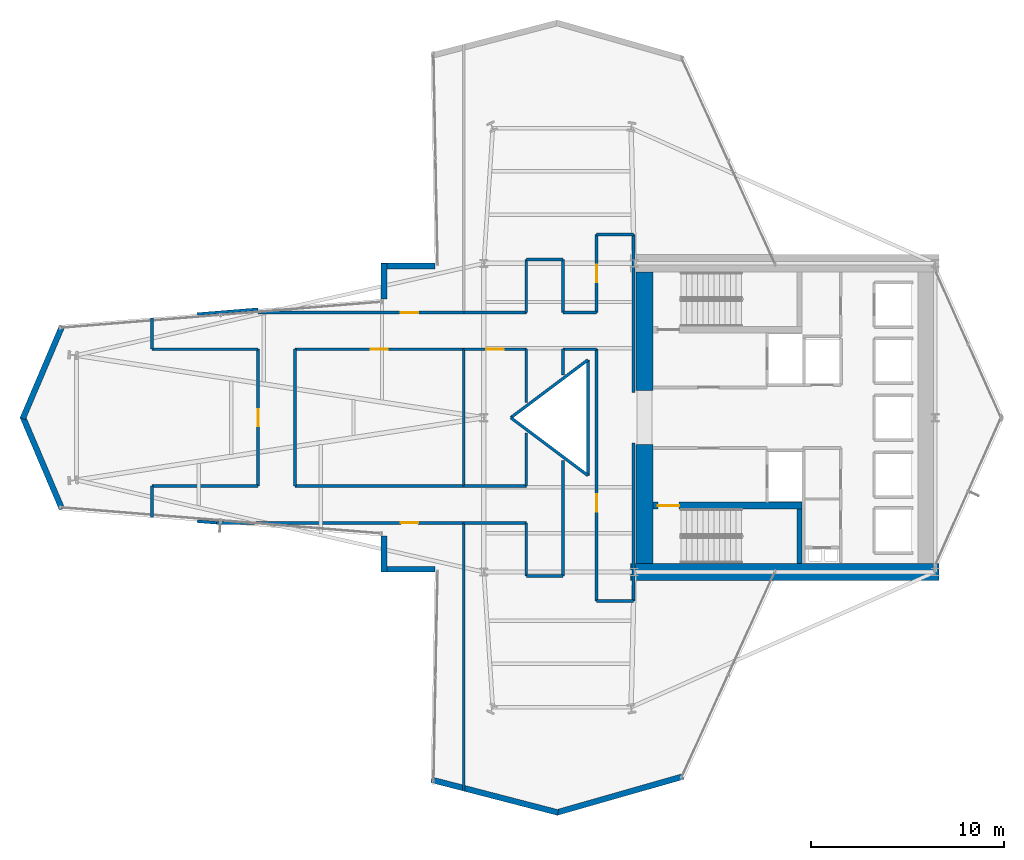
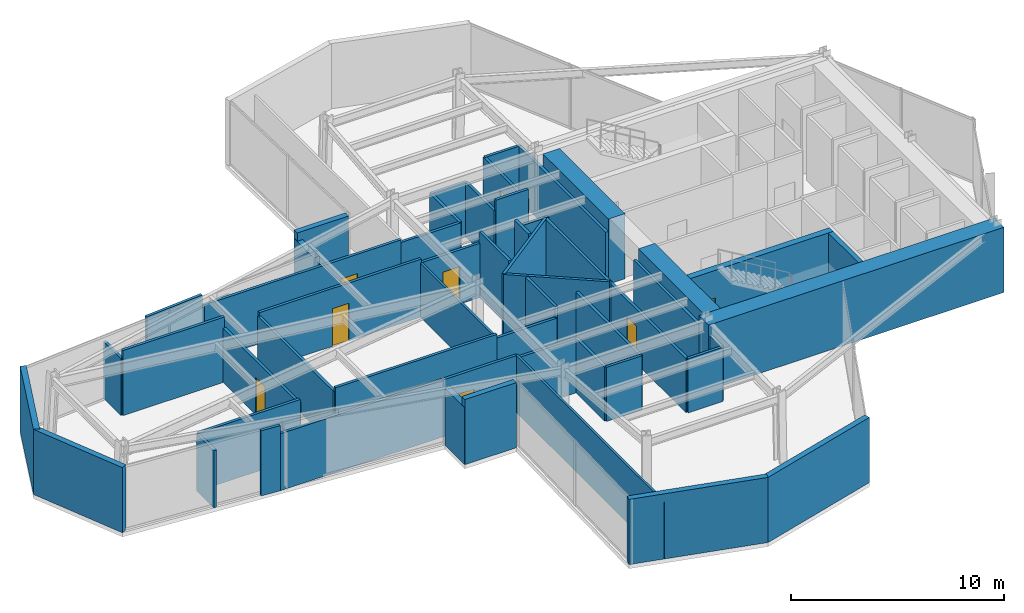
# One storey, part 22 of 25: 51 walls, 8 doors, 8 openings.
"""IFC4 building model written with IfcOpenShell, lengths in metres."""

from ifc_helpers import new_model, si_unit, direction, frame, frame_2d, origin, place, context, subcontext, project, spatial, rectangle, extrude, material, layer, layer_set, type_object, element, fill, save


model = new_model("IFC4")

# Units and contexts
model_context = context("Model", 3, precision=1e-05, world=origin(), true_north=direction((0.0, 1.0)))
body_context = subcontext(model_context, "Body", "Model", "MODEL_VIEW")
ifc_project = project(units=[si_unit("LENGTHUNIT", "METRE"), si_unit("AREAUNIT", "SQUARE_METRE"), si_unit("VOLUMEUNIT", "CUBIC_METRE"), si_unit("PLANEANGLEUNIT", "RADIAN"), si_unit("MASSUNIT", "GRAM", prefix="KILO")], contexts=[model_context])

# Site, building, storey
site_placement = place(None, origin())
site = spatial("IfcSite", under=ifc_project, at=site_placement, CompositionType="ELEMENT")
building_placement = place(site_placement, origin())
building = spatial("IfcBuilding", under=site, at=building_placement, Name="Veymaron Broadcast Tower", CompositionType="ELEMENT")
storey_placement = place(building_placement, frame((0.0, 0.0, 102.60009765625)))
storey = spatial("IfcBuildingStorey", under=building, at=storey_placement, Name="L23", CompositionType="ELEMENT", Elevation=102.60009765625)

# Walls
ifc_material_1 = material(Name="Precast concrete C40/50 with mineral-wool insulation", Category="concrete")
ifc_layer_1 = layer(ifc_material_1, 0.300048828125)
ifc_layer_set_1 = layer_set([ifc_layer_1], Name="Precast concrete C40/50 with mineral-wool insulation")
wall_type_1 = type_object("IfcWallType", Name="WALL-EXT-300", PredefinedType="STANDARD", material=ifc_layer_set_1)
wall_1_placement = place(storey_placement, frame((28.66455078125, 31.860107421875, 0.0), z_axis=(0.0, 0.0, 1.0), x_axis=(-1.0, 0.0, 0.0)))
element("IfcWall", 1, at=wall_1_placement, inside=storey, type_object=wall_type_1, Name="L23 notched corner facade pier 9-1", PredefinedType="STANDARD", context=body_context, shape_type="SweptSolid", body=[
    extrude(rectangle(XDim=2.78466796875, YDim=0.300048828125, at=frame_2d((1.392333984375, 0.0))), origin(), (0.0, 0.0, 1.0), 3.72998046875),
])
wall_2_placement = place(storey_placement, frame((26.02001953125, 32.0, 0.0), z_axis=(0.0, 0.0, 1.0), x_axis=(0.0, -1.0, 0.0)))
element("IfcWall", 2, at=wall_2_placement, inside=storey, type_object=wall_type_1, Name="L23 notched corner facade pier 10-1", PredefinedType="STANDARD", context=body_context, shape_type="SweptSolid", body=[
    extrude(rectangle(XDim=1.857421875, YDim=0.300048828125, at=frame_2d((0.9287109375, 0.0))), origin(), (0.0, 0.0, 1.0), 3.2578125),
])
for number, where, z_axis, x_axis, name in (
    (3, (9.328857421875, 28.736572265625, 0.0), (0.0, 0.0, 1.0), (-0.391751095422, -0.920071235957, 0.0), "L23 notched corner facade pier 12-1"),
    (4, (7.288818359375, 24.0546875, 0.0), (0.0, 0.0, 1.0), (0.391751095422, -0.920071235957, 0.0), "L23 notched corner facade pier 13-1"),
):
    element("IfcWall", number, at=place(storey_placement, frame(where, z_axis=z_axis, x_axis=x_axis)), inside=storey, type_object=wall_type_1, Name=name, PredefinedType="STANDARD", context=body_context, shape_type="SweptSolid", body=[
        extrude(rectangle(XDim=5.20751953125, YDim=0.300048828125, at=frame_2d((2.603759765625, 0.0))), origin(), (0.0, 0.0, 1.0), 3.72998046875),
    ])
wall_3_placement = place(storey_placement, frame((26.02001953125, 17.857421875, 0.0), z_axis=(0.0, 0.0, 1.0), x_axis=(0.0, -1.0, 0.0)))
element("IfcWall", 5, at=wall_3_placement, inside=storey, type_object=wall_type_1, Name="L23 notched corner facade pier 15-1", PredefinedType="STANDARD", context=body_context, shape_type="SweptSolid", body=[
    extrude(rectangle(XDim=1.857421875, YDim=0.300048828125, at=frame_2d((0.9287109375, 0.0))), origin(), (0.0, 0.0, 1.0), 3.2578125),
])
wall_4_placement = place(storey_placement, frame((25.8798828125, 16.139892578125, 0.0), z_axis=(0.0, 0.0, 1.0), x_axis=(1.0, 0.0, 0.0)))
element("IfcWall", 6, at=wall_4_placement, inside=storey, type_object=wall_type_1, Name="L23 notched corner facade pier 16-1", PredefinedType="STANDARD", context=body_context, shape_type="SweptSolid", body=[
    extrude(rectangle(XDim=2.78466796875, YDim=0.300048828125, at=frame_2d((1.392333984375, 0.0))), origin(), (0.0, 0.0, 1.0), 3.72998046875),
])
wall_5_placement = place(storey_placement, frame((28.48828125, 5.2255859375, 0.0), z_axis=(0.0, 0.0, 1.0), x_axis=(0.967987493138, -0.250998432521, 0.0)))
element("IfcWall", 7, at=wall_5_placement, inside=storey, type_object=wall_type_1, Name="L23 notched corner facade pier 18-1", PredefinedType="STANDARD", context=body_context, shape_type="SweptSolid", body=[
    extrude(rectangle(XDim=6.773681640625, YDim=0.300048828125, at=frame_2d((3.38671875, 0.0))), origin(), (0.0, 0.0, 1.0), 3.72998046875),
])
wall_6_placement = place(storey_placement, frame((34.9716796875, 3.524658203125, 0.0), z_axis=(0.0, 0.0, 1.0), x_axis=(0.961657606646, 0.274252889831, 0.0)))
element("IfcWall", 8, at=wall_6_placement, inside=storey, type_object=wall_type_1, Name="L23 notched corner facade pier 19-1", PredefinedType="STANDARD", context=body_context, shape_type="SweptSolid", body=[
    extrude(rectangle(XDim=6.818115234375, YDim=0.300048828125, at=frame_2d((3.4091796875, 0.0))), origin(), (0.0, 0.0, 1.0), 3.72998046875),
])

# Wall, opening, door
ifc_material_2 = material(Name="Gypsum fireboard and steel stud framing", Category="steel")
ifc_layer_2 = layer(ifc_material_2, 0.14990234375)
ifc_layer_set_2 = layer_set([ifc_layer_2], Name="Gypsum fireboard and steel stud framing")
wall_type_2 = type_object("IfcWallType", Name="WALL-FIRE-150", PredefinedType="PARTITIONING", material=ifc_layer_set_2)
wall_7_placement = place(storey_placement, frame((37.050048828125, 14.5, 0.0), z_axis=(0.0, 0.0, 1.0), x_axis=(0.0, 1.0, 0.0)))
wall_7 = element("IfcWall", 9, at=wall_7_placement, inside=storey, type_object=wall_type_2, Name="L23 partition IW-L23-P01", PredefinedType="PARTITIONING", context=body_context, shape_type="SweptSolid", body=[
    extrude(rectangle(XDim=13.050048828125, YDim=0.14990234375, at=frame_2d((6.52490234375, 0.0))), origin(), (0.0, 0.0, 1.0), 3.100830078125),
])
opening_1_placement = place(wall_7_placement, frame((4.635009765625, 0.0, 0.0)))
opening_1 = element("IfcOpeningElement", 10, at=opening_1_placement, cuts=wall_7, Name="Opening ID-RM2", PredefinedType="OPENING", context=body_context, shape_type="SweptSolid", body=[
    extrude(rectangle(XDim=0.89990234375, YDim=2.14990234375, at=frame_2d((0.449951171875, 1.074951171875))), frame((0.0, 0.0849609375, 0.0), z_axis=(0.0, -1.0, 0.0), x_axis=(1.0, 0.0, 0.0)), (0.0, 0.0, 1.0), 0.169921875),
])
ifc_material_3 = material(Name="Acoustic solid-core European oak veneer timber", Category="wood")
door_type_1 = type_object("IfcDoorType", Name="DOOR-INT-900", OperationType="NOTDEFINED", PredefinedType="DOOR", material=ifc_material_3)
door_1_placement = place(opening_1_placement, frame((0.89990234375, 0.0, 0.0), z_axis=(0.0, 0.0, 1.0), x_axis=(-1.0, 0.0, 0.0)))
door_1 = element("IfcDoor", 11, at=door_1_placement, inside=storey, type_object=door_type_1, Name="L23 door DR-L23-P01", OperationType="SINGLE_SWING_RIGHT", OverallHeight=2.14990234375, OverallWidth=0.89990234375, PredefinedType="DOOR", context=body_context, shape_type="SweptSolid", body=[
    extrude(rectangle(XDim=0.89990234375, YDim=2.14990234375, at=frame_2d((0.449951171875, 1.074951171875))), frame((0.0, 0.02490234375, 0.0), z_axis=(0.0, -1.0, 0.0), x_axis=(1.0, 0.0, 0.0)), (0.0, 0.0, 1.0), 0.050048828125),
])
fill(opening_1, door_1)

wall_8_placement = place(storey_placement, frame((17.330810546875, 18.550048828125, 0.0), z_axis=(0.0, 0.0, 1.0), x_axis=(1.0, 0.0, 0.0)))
wall_8 = element("IfcWall", 12, at=wall_8_placement, inside=storey, type_object=wall_type_2, Name="L23 partition IW-L23-P10", PredefinedType="PARTITIONING", context=body_context, shape_type="SweptSolid", body=[
    extrude(rectangle(XDim=12.828125, YDim=0.14990234375, at=frame_2d((6.4140625, 0.0))), origin(), (0.0, 0.0, 1.0), 3.2578125),
])
opening_2_placement = place(wall_8_placement, frame((9.564208984375, 0.0, 0.0)))
opening_2 = element("IfcOpeningElement", 13, at=opening_2_placement, cuts=wall_8, Name="Opening ID-RM2", PredefinedType="OPENING", context=body_context, shape_type="SweptSolid", body=[
    extrude(rectangle(XDim=0.89990234375, YDim=2.14990234375, at=frame_2d((0.449951171875, 1.074951171875))), frame((0.0, 0.0849609375, 0.0), z_axis=(0.0, -1.0, 0.0), x_axis=(1.0, 0.0, 0.0)), (0.0, 0.0, 1.0), 0.169921875),
])
door_2_placement = place(opening_2_placement, frame((0.89990234375, 0.0, 0.0), z_axis=(0.0, 0.0, 1.0), x_axis=(-1.0, 0.0, 0.0)))
door_2 = element("IfcDoor", 14, at=door_2_placement, inside=storey, type_object=door_type_1, Name="L23 door DR-L23-P10", OperationType="SINGLE_SWING_LEFT", OverallHeight=2.14990234375, OverallWidth=0.89990234375, PredefinedType="DOOR", context=body_context, shape_type="SweptSolid", body=[
    extrude(rectangle(XDim=0.89990234375, YDim=2.14990234375, at=frame_2d((0.449951171875, 1.074951171875))), frame((0.0, 0.02490234375, 0.0), z_axis=(0.0, -1.0, 0.0), x_axis=(1.0, 0.0, 0.0)), (0.0, 0.0, 1.0), 0.050048828125),
])
fill(opening_2, door_2)

wall_9_placement = place(storey_placement, frame((19.5, 20.449951171875, 0.0), z_axis=(0.0, 0.0, 1.0), x_axis=(0.0, 1.0, 0.0)))
wall_9 = element("IfcWall", 15, at=wall_9_placement, inside=storey, type_object=wall_type_2, Name="L23 partition IW-L23-P12", PredefinedType="PARTITIONING", context=body_context, shape_type="SweptSolid", body=[
    extrude(rectangle(XDim=7.10009765625, YDim=0.14990234375, at=frame_2d((3.550048828125, 0.0))), origin(), (0.0, 0.0, 1.0), 3.100830078125),
])
opening_3_placement = place(wall_9_placement, frame((3.10009765625, 0.0, 0.0)))
opening_3 = element("IfcOpeningElement", 16, at=opening_3_placement, cuts=wall_9, Name="Opening ID-RM2", PredefinedType="OPENING", context=body_context, shape_type="SweptSolid", body=[
    extrude(rectangle(XDim=0.89990234375, YDim=2.14990234375, at=frame_2d((0.449951171875, 1.074951171875))), frame((0.0, 0.0849609375, 0.0), z_axis=(0.0, -1.0, 0.0), x_axis=(1.0, 0.0, 0.0)), (0.0, 0.0, 1.0), 0.169921875),
])
door_3_placement = place(opening_3_placement, origin())
door_3 = element("IfcDoor", 17, at=door_3_placement, inside=storey, type_object=door_type_1, Name="L23 door DR-L23-P12", OperationType="SINGLE_SWING_LEFT", OverallHeight=2.14990234375, OverallWidth=0.89990234375, PredefinedType="DOOR", context=body_context, shape_type="SweptSolid", body=[
    extrude(rectangle(XDim=0.89990234375, YDim=2.14990234375, at=frame_2d((0.449951171875, 1.074951171875))), frame((0.0, 0.02490234375, 0.0), z_axis=(0.0, -1.0, 0.0), x_axis=(1.0, 0.0, 0.0)), (0.0, 0.0, 1.0), 0.050048828125),
])
fill(opening_3, door_3)

wall_10_placement = place(storey_placement, frame((21.39990234375, 27.550048828125, 0.0), z_axis=(0.0, 0.0, 1.0), x_axis=(1.0, 0.0, 0.0)))
wall_10 = element("IfcWall", 18, at=wall_10_placement, inside=storey, type_object=wall_type_2, Name="L23 partition IW-L23-P17", PredefinedType="PARTITIONING", context=body_context, shape_type="SweptSolid", body=[
    extrude(rectangle(XDim=8.759033203125, YDim=0.14990234375, at=frame_2d((4.37939453125, 0.0))), origin(), (0.0, 0.0, 1.0), 3.310791015625),
])
opening_4_placement = place(wall_10_placement, frame((3.929443359375, 0.0, 0.0)))
opening_4 = element("IfcOpeningElement", 19, at=opening_4_placement, cuts=wall_10, Name="Opening ID-RM2", PredefinedType="OPENING", context=body_context, shape_type="SweptSolid", body=[
    extrude(rectangle(XDim=0.89990234375, YDim=2.14990234375, at=frame_2d((0.449951171875, 1.074951171875))), frame((0.0, 0.0849609375, 0.0), z_axis=(0.0, -1.0, 0.0), x_axis=(1.0, 0.0, 0.0)), (0.0, 0.0, 1.0), 0.169921875),
])
door_4_placement = place(opening_4_placement, frame((0.89990234375, 0.0, 0.0), z_axis=(0.0, 0.0, 1.0), x_axis=(-1.0, 0.0, 0.0)))
door_4 = element("IfcDoor", 20, at=door_4_placement, inside=storey, type_object=door_type_1, Name="L23 door DR-L23-P17", OperationType="SINGLE_SWING_RIGHT", OverallHeight=2.14990234375, OverallWidth=0.89990234375, PredefinedType="DOOR", context=body_context, shape_type="SweptSolid", body=[
    extrude(rectangle(XDim=0.89990234375, YDim=2.14990234375, at=frame_2d((0.449951171875, 1.074951171875))), frame((0.0, 0.02490234375, 0.0), z_axis=(0.0, -1.0, 0.0), x_axis=(1.0, 0.0, 0.0)), (0.0, 0.0, 1.0), 0.050048828125),
])
fill(opening_4, door_4)

wall_11_placement = place(storey_placement, frame((30.158935546875, 27.550048828125, 0.0), z_axis=(0.0, 0.0, 1.0), x_axis=(1.0, 0.0, 0.0)))
wall_11 = element("IfcWall", 21, at=wall_11_placement, inside=storey, type_object=wall_type_2, Name="L23 partition IW-L23-P20", PredefinedType="PARTITIONING", context=body_context, shape_type="SweptSolid", body=[
    extrude(rectangle(XDim=3.240966796875, YDim=0.14990234375, at=frame_2d((1.62060546875, 0.0))), origin(), (0.0, 0.0, 1.0), 3.100830078125),
])
opening_5_placement = place(wall_11_placement, frame((1.17041015625, 0.0, 0.0)))
opening_5 = element("IfcOpeningElement", 22, at=opening_5_placement, cuts=wall_11, Name="Opening ID-RM2", PredefinedType="OPENING", context=body_context, shape_type="SweptSolid", body=[
    extrude(rectangle(XDim=0.89990234375, YDim=2.14990234375, at=frame_2d((0.449951171875, 1.074951171875))), frame((0.0, 0.0849609375, 0.0), z_axis=(0.0, -1.0, 0.0), x_axis=(1.0, 0.0, 0.0)), (0.0, 0.0, 1.0), 0.169921875),
])
door_5_placement = place(opening_5_placement, frame((0.89990234375, 0.0, 0.0), z_axis=(0.0, 0.0, 1.0), x_axis=(-1.0, 0.0, 0.0)))
door_5 = element("IfcDoor", 23, at=door_5_placement, inside=storey, type_object=door_type_1, Name="L23 door DR-L23-P20", OperationType="SINGLE_SWING_LEFT", OverallHeight=2.14990234375, OverallWidth=0.89990234375, PredefinedType="DOOR", context=body_context, shape_type="SweptSolid", body=[
    extrude(rectangle(XDim=0.89990234375, YDim=2.14990234375, at=frame_2d((0.449951171875, 1.074951171875))), frame((0.0, 0.02490234375, 0.0), z_axis=(0.0, -1.0, 0.0), x_axis=(1.0, 0.0, 0.0)), (0.0, 0.0, 1.0), 0.050048828125),
])
fill(opening_5, door_5)

wall_12_placement = place(storey_placement, frame((19.5, 29.449951171875, 0.0), z_axis=(0.0, 0.0, 1.0), x_axis=(1.0, 0.0, 0.0)))
wall_12 = element("IfcWall", 24, at=wall_12_placement, inside=storey, type_object=wall_type_2, Name="L23 partition IW-L23-P24", PredefinedType="PARTITIONING", context=body_context, shape_type="SweptSolid", body=[
    extrude(rectangle(XDim=10.658935546875, YDim=0.14990234375, at=frame_2d((5.32958984375, 0.0))), origin(), (0.0, 0.0, 1.0), 3.2578125),
])
opening_6_placement = place(wall_12_placement, frame((7.3994140625, 0.0, 0.0)))
opening_6 = element("IfcOpeningElement", 25, at=opening_6_placement, cuts=wall_12, Name="Opening ID-RM2", PredefinedType="OPENING", context=body_context, shape_type="SweptSolid", body=[
    extrude(rectangle(XDim=0.89990234375, YDim=2.14990234375, at=frame_2d((0.449951171875, 1.074951171875))), frame((0.0, 0.0849609375, 0.0), z_axis=(0.0, -1.0, 0.0), x_axis=(1.0, 0.0, 0.0)), (0.0, 0.0, 1.0), 0.169921875),
])
door_6_placement = place(opening_6_placement, origin())
door_6 = element("IfcDoor", 26, at=door_6_placement, inside=storey, type_object=door_type_1, Name="L23 door DR-L23-P24", OperationType="SINGLE_SWING_LEFT", OverallHeight=2.14990234375, OverallWidth=0.89990234375, PredefinedType="DOOR", context=body_context, shape_type="SweptSolid", body=[
    extrude(rectangle(XDim=0.89990234375, YDim=2.14990234375, at=frame_2d((0.449951171875, 1.074951171875))), frame((0.0, 0.02490234375, 0.0), z_axis=(0.0, -1.0, 0.0), x_axis=(1.0, 0.0, 0.0)), (0.0, 0.0, 1.0), 0.050048828125),
])
fill(opening_6, door_6)

wall_13_placement = place(storey_placement, frame((37.050048828125, 29.449951171875, 0.0), z_axis=(0.0, 0.0, 1.0), x_axis=(0.0, 1.0, 0.0)))
wall_13 = element("IfcWall", 27, at=wall_13_placement, inside=storey, type_object=wall_type_2, Name="L23 partition IW-L23-P27", PredefinedType="PARTITIONING", context=body_context, shape_type="SweptSolid", body=[
    extrude(rectangle(XDim=4.050048828125, YDim=0.14990234375, at=frame_2d((2.02490234375, 0.0))), origin(), (0.0, 0.0, 1.0), 3.100830078125),
])
opening_7_placement = place(wall_13_placement, frame((1.574951171875, 0.0, 0.0)))
opening_7 = element("IfcOpeningElement", 28, at=opening_7_placement, cuts=wall_13, Name="Opening ID-RM2", PredefinedType="OPENING", context=body_context, shape_type="SweptSolid", body=[
    extrude(rectangle(XDim=0.89990234375, YDim=2.14990234375, at=frame_2d((0.449951171875, 1.074951171875))), frame((0.0, 0.0849609375, 0.0), z_axis=(0.0, -1.0, 0.0), x_axis=(1.0, 0.0, 0.0)), (0.0, 0.0, 1.0), 0.169921875),
])
door_7_placement = place(opening_7_placement, origin())
door_7 = element("IfcDoor", 29, at=door_7_placement, inside=storey, type_object=door_type_1, Name="L23 door DR-L23-P27", OperationType="SINGLE_SWING_RIGHT", OverallHeight=2.14990234375, OverallWidth=0.89990234375, PredefinedType="DOOR", context=body_context, shape_type="SweptSolid", body=[
    extrude(rectangle(XDim=0.89990234375, YDim=2.14990234375, at=frame_2d((0.449951171875, 1.074951171875))), frame((0.0, 0.02490234375, 0.0), z_axis=(0.0, -1.0, 0.0), x_axis=(1.0, 0.0, 0.0)), (0.0, 0.0, 1.0), 0.050048828125),
])
fill(opening_7, door_7)

# Walls
wall_14_placement = place(storey_placement, frame((38.949951171875, 14.5, 0.0), z_axis=(0.0, 0.0, 1.0), x_axis=(0.0, 1.0, 0.0)))
element("IfcWall", 30, at=wall_14_placement, inside=storey, type_object=wall_type_2, Name="L23 partition IW-L23-P02", PredefinedType="PARTITIONING", context=body_context, shape_type="SweptSolid", body=[
    extrude(rectangle(XDim=8.199951171875, YDim=0.14990234375, at=frame_2d((4.10009765625, 0.0))), origin(), (0.0, 0.0, 1.0), 3.100830078125),
])
wall_15_placement = place(storey_placement, frame((35.300048828125, 15.800048828125, 0.0), z_axis=(0.0, 0.0, 1.0), x_axis=(0.0, 1.0, 0.0)))
element("IfcWall", 31, at=wall_15_placement, inside=storey, type_object=wall_type_2, Name="L23 partition IW-L23-P03", PredefinedType="PARTITIONING", context=body_context, shape_type="SweptSolid", body=[
    extrude(rectangle(XDim=5.987548828125, YDim=0.14990234375, at=frame_2d((2.99365234375, 0.0))), origin(), (0.0, 0.0, 1.0), 3.100830078125),
])
wall_16_placement = place(storey_placement, frame((30.158935546875, 18.550048828125, 0.0), z_axis=(0.0, 0.0, 1.0), x_axis=(1.0, 0.0, 0.0)))
element("IfcWall", 32, at=wall_16_placement, inside=storey, type_object=wall_type_2, Name="L23 partition IW-L23-P04", PredefinedType="PARTITIONING", context=body_context, shape_type="SweptSolid", body=[
    extrude(rectangle(XDim=3.240966796875, YDim=0.14990234375, at=frame_2d((1.62060546875, 0.0))), origin(), (0.0, 0.0, 1.0), 3.100830078125),
])
wall_17_placement = place(storey_placement, frame((33.39990234375, 15.800048828125, 0.0), z_axis=(0.0, 0.0, 1.0), x_axis=(0.0, 1.0, 0.0)))
element("IfcWall", 33, at=wall_17_placement, inside=storey, type_object=wall_type_2, Name="L23 partition IW-L23-P05", PredefinedType="PARTITIONING", context=body_context, shape_type="SweptSolid", body=[
    extrude(rectangle(XDim=2.75, YDim=0.14990234375, at=frame_2d((1.375, 0.0))), origin(), (0.0, 0.0, 1.0), 3.100830078125),
])
wall_18_placement = place(storey_placement, frame((37.050048828125, 14.5, 0.0), z_axis=(0.0, 0.0, 1.0), x_axis=(1.0, 0.0, 0.0)))
element("IfcWall", 34, at=wall_18_placement, inside=storey, type_object=wall_type_2, Name="L23 partition IW-L23-P06", PredefinedType="PARTITIONING", context=body_context, shape_type="SweptSolid", body=[
    extrude(rectangle(XDim=1.89990234375, YDim=0.14990234375, at=frame_2d((0.949951171875, 0.0))), origin(), (0.0, 0.0, 1.0), 3.100830078125),
])
wall_19_placement = place(storey_placement, frame((33.39990234375, 15.800048828125, 0.0), z_axis=(0.0, 0.0, 1.0), x_axis=(1.0, 0.0, 0.0)))
element("IfcWall", 35, at=wall_19_placement, inside=storey, type_object=wall_type_2, Name="L23 partition IW-L23-P07", PredefinedType="PARTITIONING", context=body_context, shape_type="SweptSolid", body=[
    extrude(rectangle(XDim=1.900146484375, YDim=0.14990234375, at=frame_2d((0.9501953125, 0.0))), origin(), (0.0, 0.0, 1.0), 3.100830078125),
])
wall_20_placement = place(storey_placement, frame((35.300048828125, 27.550048828125, 0.0), z_axis=(0.0, 0.0, 1.0), x_axis=(1.0, 0.0, 0.0)))
element("IfcWall", 36, at=wall_20_placement, inside=storey, type_object=wall_type_2, Name="L23 partition IW-L23-P08", PredefinedType="PARTITIONING", context=body_context, shape_type="SweptSolid", body=[
    extrude(rectangle(XDim=1.75, YDim=0.14990234375, at=frame_2d((0.875, 0.0))), origin(), (0.0, 0.0, 1.0), 3.310791015625),
])
wall_21_placement = place(storey_placement, frame((35.300048828125, 26.21240234375, 0.0), z_axis=(0.0, 0.0, 1.0), x_axis=(0.0, 1.0, 0.0)))
element("IfcWall", 37, at=wall_21_placement, inside=storey, type_object=wall_type_2, Name="L23 partition IW-L23-P09", PredefinedType="PARTITIONING", context=body_context, shape_type="SweptSolid", body=[
    extrude(rectangle(XDim=1.337646484375, YDim=0.14990234375, at=frame_2d((0.6689453125, 0.0))), origin(), (0.0, 0.0, 1.0), 3.72998046875),
])
wall_22_placement = place(storey_placement, frame((16.33984375, 18.63037109375, 0.0), z_axis=(0.0, 0.0, 1.0), x_axis=(0.996731186176, -0.080789495012, 0.0)))
element("IfcWall", 38, at=wall_22_placement, inside=storey, type_object=wall_type_2, Name="L23 partition IW-L23-P11", PredefinedType="PARTITIONING", context=body_context, shape_type="SweptSolid", body=[
    extrude(rectangle(XDim=0.994140625, YDim=0.14990234375, at=frame_2d((0.4970703125, 0.0))), origin(), (0.0, 0.0, 1.0), 3.72998046875),
])
wall_23_placement = place(storey_placement, frame((14.0, 20.449951171875, 0.0), z_axis=(0.0, 0.0, 1.0), x_axis=(1.0, 0.0, 0.0)))
element("IfcWall", 39, at=wall_23_placement, inside=storey, type_object=wall_type_2, Name="L23 partition IW-L23-P13", PredefinedType="PARTITIONING", context=body_context, shape_type="SweptSolid", body=[
    extrude(rectangle(XDim=5.5, YDim=0.14990234375, at=frame_2d((2.75, 0.0))), origin(), (0.0, 0.0, 1.0), 3.310791015625),
])
wall_24_placement = place(storey_placement, frame((14.0, 27.550048828125, 0.0), z_axis=(0.0, 0.0, 1.0), x_axis=(1.0, 0.0, 0.0)))
element("IfcWall", 40, at=wall_24_placement, inside=storey, type_object=wall_type_2, Name="L23 partition IW-L23-P14", PredefinedType="PARTITIONING", context=body_context, shape_type="SweptSolid", body=[
    extrude(rectangle(XDim=5.5, YDim=0.14990234375, at=frame_2d((2.75, 0.0))), origin(), (0.0, 0.0, 1.0), 3.72998046875),
])
for number, where, z_axis, x_axis, name in (
    (41, (14.0, 18.81982421875, 0.0), (0.0, 0.0, 1.0), (0.0, 1.0, 0.0), "L23 partition IW-L23-P15"),
    (42, (14.0, 27.550048828125, 0.0), (0.0, 0.0, 1.0), (0.0, 1.0, 0.0), "L23 partition IW-L23-P16"),
):
    element("IfcWall", number, at=place(storey_placement, frame(where, z_axis=z_axis, x_axis=x_axis)), inside=storey, type_object=wall_type_2, Name=name, PredefinedType="PARTITIONING", context=body_context, shape_type="SweptSolid", body=[
        extrude(rectangle(XDim=1.630126953125, YDim=0.14990234375, at=frame_2d((0.81494140625, 0.0))), origin(), (0.0, 0.0, 1.0), 3.2578125),
    ])
wall_25_placement = place(storey_placement, frame((21.39990234375, 20.449951171875, 0.0), z_axis=(0.0, 0.0, 1.0), x_axis=(1.0, 0.0, 0.0)))
element("IfcWall", 43, at=wall_25_placement, inside=storey, type_object=wall_type_2, Name="L23 partition IW-L23-P18", PredefinedType="PARTITIONING", context=body_context, shape_type="SweptSolid", body=[
    extrude(rectangle(XDim=8.759033203125, YDim=0.14990234375, at=frame_2d((4.37939453125, 0.0))), origin(), (0.0, 0.0, 1.0), 3.310791015625),
])
wall_26_placement = place(storey_placement, frame((21.39990234375, 20.449951171875, 0.0), z_axis=(0.0, 0.0, 1.0), x_axis=(0.0, 1.0, 0.0)))
element("IfcWall", 44, at=wall_26_placement, inside=storey, type_object=wall_type_2, Name="L23 partition IW-L23-P19", PredefinedType="PARTITIONING", context=body_context, shape_type="SweptSolid", body=[
    extrude(rectangle(XDim=7.10009765625, YDim=0.14990234375, at=frame_2d((3.550048828125, 0.0))), origin(), (0.0, 0.0, 1.0), 3.100830078125),
])
wall_27_placement = place(storey_placement, frame((30.158935546875, 20.449951171875, 0.0), z_axis=(0.0, 0.0, 1.0), x_axis=(1.0, 0.0, 0.0)))
element("IfcWall", 45, at=wall_27_placement, inside=storey, type_object=wall_type_2, Name="L23 partition IW-L23-P21", PredefinedType="PARTITIONING", context=body_context, shape_type="SweptSolid", body=[
    extrude(rectangle(XDim=3.240966796875, YDim=0.14990234375, at=frame_2d((1.62060546875, 0.0))), origin(), (0.0, 0.0, 1.0), 3.100830078125),
])
for number, where, z_axis, x_axis, name in (
    (46, (33.39990234375, 24.78759765625, 0.0), (0.0, 0.0, 1.0), (0.0, 1.0, 0.0), "L23 partition IW-L23-P22"),
    (47, (33.39990234375, 20.449951171875, 0.0), (0.0, 0.0, 1.0), (0.0, 1.0, 0.0), "L23 partition IW-L23-P23"),
):
    element("IfcWall", number, at=place(storey_placement, frame(where, z_axis=z_axis, x_axis=x_axis)), inside=storey, type_object=wall_type_2, Name=name, PredefinedType="PARTITIONING", context=body_context, shape_type="SweptSolid", body=[
        extrude(rectangle(XDim=2.762451171875, YDim=0.14990234375, at=frame_2d((1.38134765625, 0.0))), origin(), (0.0, 0.0, 1.0), 3.72998046875),
    ])
wall_28_placement = place(storey_placement, frame((16.33984375, 29.36962890625, 0.0), z_axis=(0.0, 0.0, 1.0), x_axis=(0.99672786924, 0.080830406903, 0.0)))
element("IfcWall", 48, at=wall_28_placement, inside=storey, type_object=wall_type_2, Name="L23 partition IW-L23-P25", PredefinedType="PARTITIONING", context=body_context, shape_type="SweptSolid", body=[
    extrude(rectangle(XDim=3.15625, YDim=0.14990234375, at=frame_2d((1.578125, 0.0))), origin(), (0.0, 0.0, 1.0), 3.72998046875),
])
wall_29_placement = place(storey_placement, frame((38.949951171875, 25.300048828125, 0.0), z_axis=(0.0, 0.0, 1.0), x_axis=(0.0, 1.0, 0.0)))
element("IfcWall", 49, at=wall_29_placement, inside=storey, type_object=wall_type_2, Name="L23 partition IW-L23-P26", PredefinedType="PARTITIONING", context=body_context, shape_type="SweptSolid", body=[
    extrude(rectangle(XDim=8.199951171875, YDim=0.14990234375, at=frame_2d((4.10009765625, 0.0))), origin(), (0.0, 0.0, 1.0), 3.100830078125),
])
wall_30_placement = place(storey_placement, frame((30.158935546875, 29.449951171875, 0.0), z_axis=(0.0, 0.0, 1.0), x_axis=(1.0, 0.0, 0.0)))
element("IfcWall", 50, at=wall_30_placement, inside=storey, type_object=wall_type_2, Name="L23 partition IW-L23-P28", PredefinedType="PARTITIONING", context=body_context, shape_type="SweptSolid", body=[
    extrude(rectangle(XDim=3.240966796875, YDim=0.14990234375, at=frame_2d((1.62060546875, 0.0))), origin(), (0.0, 0.0, 1.0), 3.100830078125),
])
for number, where, z_axis, x_axis, name in (
    (51, (33.39990234375, 29.449951171875, 0.0), (0.0, 0.0, 1.0), (0.0, 1.0, 0.0), "L23 partition IW-L23-P29"),
    (52, (35.300048828125, 29.449951171875, 0.0), (0.0, 0.0, 1.0), (0.0, 1.0, 0.0), "L23 partition IW-L23-P30"),
):
    element("IfcWall", number, at=place(storey_placement, frame(where, z_axis=z_axis, x_axis=x_axis)), inside=storey, type_object=wall_type_2, Name=name, PredefinedType="PARTITIONING", context=body_context, shape_type="SweptSolid", body=[
        extrude(rectangle(XDim=2.75, YDim=0.14990234375, at=frame_2d((1.375, 0.0))), origin(), (0.0, 0.0, 1.0), 3.100830078125),
    ])
wall_31_placement = place(storey_placement, frame((37.050048828125, 33.5, 0.0), z_axis=(0.0, 0.0, 1.0), x_axis=(1.0, 0.0, 0.0)))
element("IfcWall", 53, at=wall_31_placement, inside=storey, type_object=wall_type_2, Name="L23 partition IW-L23-P31", PredefinedType="PARTITIONING", context=body_context, shape_type="SweptSolid", body=[
    extrude(rectangle(XDim=1.89990234375, YDim=0.14990234375, at=frame_2d((0.949951171875, 0.0))), origin(), (0.0, 0.0, 1.0), 3.100830078125),
])
wall_32_placement = place(storey_placement, frame((33.39990234375, 32.199951171875, 0.0), z_axis=(0.0, 0.0, 1.0), x_axis=(1.0, 0.0, 0.0)))
element("IfcWall", 54, at=wall_32_placement, inside=storey, type_object=wall_type_2, Name="L23 partition IW-L23-P32", PredefinedType="PARTITIONING", context=body_context, shape_type="SweptSolid", body=[
    extrude(rectangle(XDim=1.900146484375, YDim=0.14990234375, at=frame_2d((0.9501953125, 0.0))), origin(), (0.0, 0.0, 1.0), 3.100830078125),
])
wall_33_placement = place(storey_placement, frame((35.300048828125, 29.449951171875, 0.0), z_axis=(0.0, 0.0, 1.0), x_axis=(1.0, 0.0, 0.0)))
element("IfcWall", 55, at=wall_33_placement, inside=storey, type_object=wall_type_2, Name="L23 partition IW-L23-P33", PredefinedType="PARTITIONING", context=body_context, shape_type="SweptSolid", body=[
    extrude(rectangle(XDim=1.75, YDim=0.14990234375, at=frame_2d((0.875, 0.0))), origin(), (0.0, 0.0, 1.0), 3.72998046875),
])
ifc_material_4 = material(Name="Fire-rated laminated glass in aluminium frame", Category="aluminium")
ifc_layer_3 = layer(ifc_material_4, 0.14990234375)
ifc_layer_set_3 = layer_set([ifc_layer_3], Name="Fire-rated laminated glass in aluminium frame")
wall_type_3 = type_object("IfcWallType", Name="WALL-GLZ-150", PredefinedType="MOVABLE", material=ifc_layer_set_3)
wall_34_placement = place(storey_placement, frame((32.60009765625, 24.0, 0.0), z_axis=(0.0, 0.0, 1.0), x_axis=(0.8, -0.6, 0.0)))
element("IfcWall", 56, at=wall_34_placement, inside=storey, type_object=wall_type_3, Name="L23 partition IW-L23-ATR1", PredefinedType="MOVABLE", context=body_context, shape_type="SweptSolid", body=[
    extrude(rectangle(XDim=5.0, YDim=0.14990234375, at=frame_2d((2.5, 0.0))), origin(), (0.0, 0.0, 1.0), 3.72998046875),
])
wall_35_placement = place(storey_placement, frame((36.60009765625, 21.0, 0.0), z_axis=(0.0, 0.0, 1.0), x_axis=(0.0, 1.0, 0.0)))
element("IfcWall", 57, at=wall_35_placement, inside=storey, type_object=wall_type_3, Name="L23 partition IW-L23-ATR2", PredefinedType="MOVABLE", context=body_context, shape_type="SweptSolid", body=[
    extrude(rectangle(XDim=6.0, YDim=0.14990234375, at=frame_2d((3.0, 0.0))), origin(), (0.0, 0.0, 1.0), 3.72998046875),
])
wall_36_placement = place(storey_placement, frame((36.60009765625, 27.0, 0.0), z_axis=(0.0, 0.0, 1.0), x_axis=(-0.8, -0.6, 0.0)))
element("IfcWall", 58, at=wall_36_placement, inside=storey, type_object=wall_type_3, Name="L23 partition IW-L23-ATR3", PredefinedType="MOVABLE", context=body_context, shape_type="SweptSolid", body=[
    extrude(rectangle(XDim=5.0, YDim=0.14990234375, at=frame_2d((2.5, 0.0))), origin(), (0.0, 0.0, 1.0), 3.72998046875),
])
ifc_material_5 = material(Name="Acoustic gypsum board and galvanized stud", Category="gypsum")
ifc_layer_4 = layer(ifc_material_5, 0.1201171875)
ifc_layer_set_4 = layer_set([ifc_layer_4], Name="Acoustic gypsum board and galvanized stud")
wall_type_4 = type_object("IfcWallType", Name="WALL-PART-120", PredefinedType="PARTITIONING", material=ifc_layer_set_4)
wall_37_placement = place(storey_placement, frame((30.158935546875, 4.647705078125, 0.0), z_axis=(0.0, 0.0, 1.0), x_axis=(0.0, 1.0, 0.0)))
element("IfcWall", 59, at=wall_37_placement, inside=storey, type_object=wall_type_4, Name="L23 partition IW-L23-P34", PredefinedType="PARTITIONING", context=body_context, shape_type="SweptSolid", body=[
    extrude(rectangle(XDim=13.90234375, YDim=0.1201171875, at=frame_2d((6.951171875, 0.0))), origin(), (0.0, 0.0, 1.0), 3.2578125),
])
wall_38_placement = place(storey_placement, frame((30.158935546875, 20.449951171875, 0.0), z_axis=(0.0, 0.0, 1.0), x_axis=(0.0, 1.0, 0.0)))
element("IfcWall", 60, at=wall_38_placement, inside=storey, type_object=wall_type_4, Name="L23 partition IW-L23-P35", PredefinedType="PARTITIONING", context=body_context, shape_type="SweptSolid", body=[
    extrude(rectangle(XDim=7.10009765625, YDim=0.1201171875, at=frame_2d((3.550048828125, 0.0))), origin(), (0.0, 0.0, 1.0), 3.100830078125),
])
ifc_material_6 = material(Name="Concrete C50/60", Category="concrete")
ifc_layer_5 = layer(ifc_material_6, 0.25)
ifc_layer_set_5 = layer_set([ifc_layer_5], Name="Concrete C50/60")
wall_type_5 = type_object("IfcWallType", Name="WALL-SHEAR-250", PredefinedType="SHEAR", material=ifc_layer_set_5)
wall_39_placement = place(storey_placement, frame((47.56494140625, 16.449951171875, 0.0), z_axis=(0.0, 0.0, 1.0), x_axis=(0.0, 1.0, 0.0)))
element("IfcWall", 61, at=wall_39_placement, inside=storey, type_object=wall_type_5, Name="L23 Core Wall south stair east shear", PredefinedType="SHEAR", context=body_context, shape_type="SweptSolid", body=[
    extrude(rectangle(XDim=2.820068359375, YDim=0.25, at=frame_2d((1.41015625, 0.0))), origin(), (0.0, 0.0, 1.0), 3.72998046875),
])

# Wall, opening, door
ifc_layer_6 = layer(ifc_material_6, 0.35009765625)
ifc_layer_set_6 = layer_set([ifc_layer_6], Name="Concrete C50/60")
wall_type_6 = type_object("IfcWallType", Name="WALL-SHEAR-350", PredefinedType="SHEAR", material=ifc_layer_set_6)
wall_40_placement = place(storey_placement, frame((39.97998046875, 19.445068359375, 0.0), z_axis=(0.0, 0.0, 1.0), x_axis=(1.0, 0.0, 0.0)))
wall_40 = element("IfcWall", 62, at=wall_40_placement, inside=storey, type_object=wall_type_6, Name="L23 Core Wall south stair spine", PredefinedType="SHEAR", context=body_context, shape_type="SweptSolid", body=[
    extrude(rectangle(XDim=7.7099609375, YDim=0.35009765625, at=frame_2d((3.85498046875, 0.0))), origin(), (0.0, 0.0, 1.0), 3.72998046875),
])
opening_8_placement = place(wall_40_placement, frame((0.25, 0.0, 0.0)))
opening_8 = element("IfcOpeningElement", 63, at=opening_8_placement, cuts=wall_40, Name="Opening ID-ST1", PredefinedType="OPENING", context=body_context, shape_type="SweptSolid", body=[
    extrude(rectangle(XDim=1.10009765625, YDim=2.14990234375, at=frame_2d((0.550048828125, 1.074951171875))), frame((0.0, 0.18505859375, 0.0), z_axis=(0.0, -1.0, 0.0), x_axis=(1.0, 0.0, 0.0)), (0.0, 0.0, 1.0), 0.3701171875),
])
ifc_material_7 = material(Name="Fire-rated painted hollow steel ASTM A653", Category="steel")
door_type_2 = type_object("IfcDoorType", Name="DOOR-STAIR-1100", OperationType="NOTDEFINED", PredefinedType="DOOR", material=ifc_material_7)
door_8_placement = place(opening_8_placement, frame((1.10009765625, 0.0, 0.0), z_axis=(0.0, 0.0, 1.0), x_axis=(-1.0, 0.0, 0.0)))
door_8 = element("IfcDoor", 64, at=door_8_placement, inside=storey, type_object=door_type_2, Name="L23 exit stair ST2 fire door", OperationType="SINGLE_SWING_LEFT", OverallHeight=2.14990234375, OverallWidth=1.10009765625, PredefinedType="DOOR", context=body_context, shape_type="SweptSolid", body=[
    extrude(rectangle(XDim=1.10009765625, YDim=2.14990234375, at=frame_2d((0.550048828125, 1.074951171875))), frame((0.0, 0.02490234375, 0.0), z_axis=(0.0, -1.0, 0.0), x_axis=(1.0, 0.0, 0.0)), (0.0, 0.0, 1.0), 0.050048828125),
])
fill(opening_8, door_8)

# Walls
ifc_material_8 = material(Name="Concrete C70/85", Category="concrete")
ifc_layer_7 = layer(ifc_material_8, 0.89990234375)
ifc_layer_set_7 = layer_set([ifc_layer_7], Name="Concrete C70/85")
wall_type_7 = type_object("IfcWallType", Name="WALL-SHEAR-900", PredefinedType="SHEAR", material=ifc_layer_set_7)
wall_41_placement = place(storey_placement, frame((38.800048828125, 16.0, 0.0), z_axis=(0.0, 0.0, 1.0), x_axis=(1.0, 0.0, 0.0)))
element("IfcWall", 65, at=wall_41_placement, inside=storey, type_object=wall_type_7, Name="L23 Core Wall south shear", PredefinedType="SHEAR", context=body_context, shape_type="SweptSolid", body=[
    extrude(rectangle(XDim=16.0, YDim=0.89990234375, at=frame_2d((8.0, 0.0))), origin(), (0.0, 0.0, 1.0), 3.72998046875),
])
for number, where, z_axis, x_axis, name in (
    (66, (39.530029296875, 16.449951171875, 0.0), (0.0, 0.0, 1.0), (0.0, 1.0, 0.0), "L23 Core Wall west-south shear"),
    (67, (39.530029296875, 25.39990234375, 0.0), (0.0, 0.0, 1.0), (0.0, 1.0, 0.0), "L23 Core Wall west-north shear"),
):
    element("IfcWall", number, at=place(storey_placement, frame(where, z_axis=z_axis, x_axis=x_axis)), inside=storey, type_object=wall_type_7, Name=name, PredefinedType="SHEAR", context=body_context, shape_type="SweptSolid", body=[
        extrude(rectangle(XDim=6.150146484375, YDim=0.89990234375, at=frame_2d((3.0751953125, 0.0))), origin(), (0.0, 0.0, 1.0), 3.72998046875),
    ])

save(model, "model.ifc")
